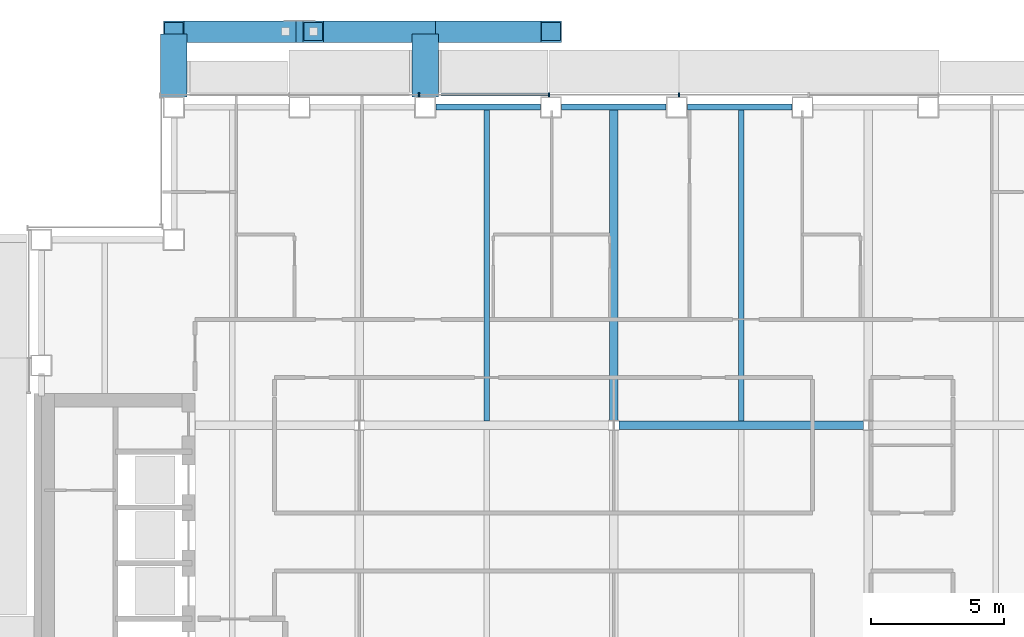
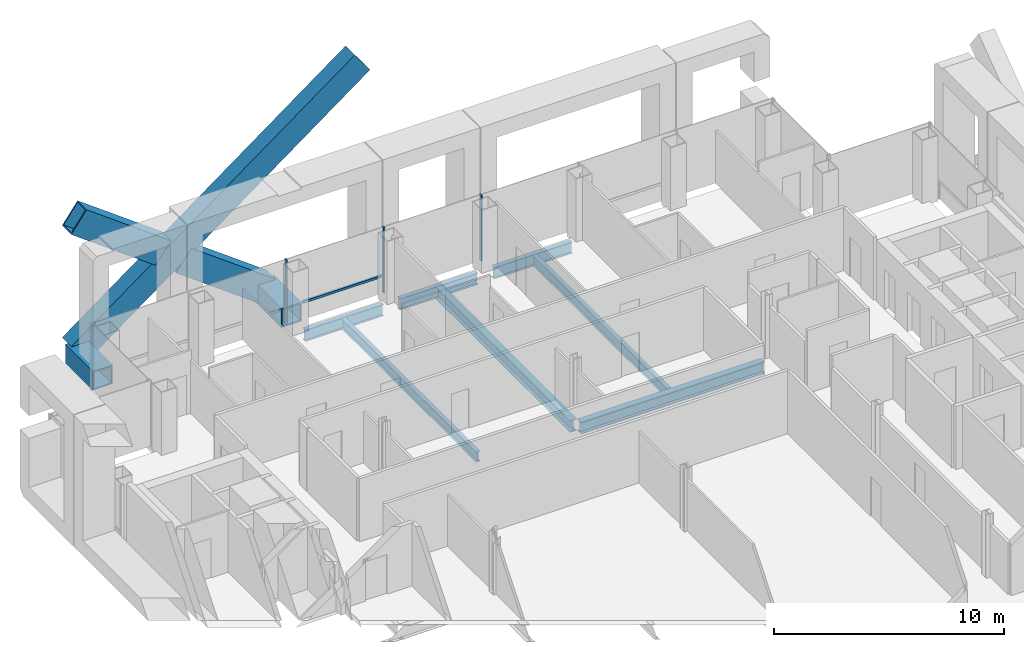
# One storey, part 9 of 22: 9 beams, 7 members, 1 element without a shape of its own.
"""IFC4 building model written with IfcOpenShell, lengths in metres."""

from ifc_helpers import new_model, si_unit, direction, frame, origin, origin_2d, place, context, subcontext, project, spatial, rectangle, hollow_rectangle, i_section, extrude, material, material_profile, profile_set, type_object, element, aggregate, save


model = new_model("IFC4")

# Units and contexts
model_context = context("Model", 3, precision=1e-05, world=origin(), true_north=direction((0.0, 1.0)))
body_context = subcontext(model_context, "Body", "Model", "MODEL_VIEW")
ifc_project = project(units=[si_unit("LENGTHUNIT", "METRE"), si_unit("AREAUNIT", "SQUARE_METRE"), si_unit("VOLUMEUNIT", "CUBIC_METRE"), si_unit("PLANEANGLEUNIT", "RADIAN"), si_unit("MASSUNIT", "GRAM", prefix="KILO")], contexts=[model_context])

# Site, building, storey
site_placement = place(None, origin())
site = spatial("IfcSite", under=ifc_project, at=site_placement, CompositionType="ELEMENT")
building_placement = place(site_placement, origin())
building = spatial("IfcBuilding", under=site, at=building_placement, Name="Cobrizo Arcos Hotel Tower", CompositionType="ELEMENT")
storey_placement = place(building_placement, frame((0.0, 0.0, 176.0)))
storey = spatial("IfcBuildingStorey", under=building, at=storey_placement, Name="L45", CompositionType="ELEMENT", Elevation=176.0)

# Beams
ifc_material_1 = material(Name="Steel ASTM A572 Grade 50", Category="steel")
ifc_material_profile_1 = material_profile(ifc_material_1, hollow_rectangle(XDim=1.0, YDim=1.0, WallThickness=0.06005859375, at=origin_2d()), Name="BOX 1000X1000X60")
ifc_profile_set_1 = profile_set([ifc_material_profile_1], Name="Steel ASTM A572 Grade 50")
beam_type_1 = type_object("IfcBeamType", Name="BOX 1000X1000X60 brace connector strut", PredefinedType="BEAM", material=ifc_profile_set_1)
for number, where, z_axis, x_axis, name in (
    (1, (-7.1142578125, 21.989990234375, 0.5), (0.0, 1.0, 0.0), (-1.0, 0.0, 0.0), "Perimeter brace stub BS1, zone Z3, north face, offset -7.11 m, L45"),
    (2, (-16.60009765625, 21.989990234375, 0.5), (0.0, 1.0, 0.0), (-1.0, 0.0, 0.0), "Perimeter brace stub BS1, zone Z3, north face, offset -16.60 m, L45"),
):
    element("IfcBeam", number, at=place(storey_placement, frame(where, z_axis=z_axis, x_axis=x_axis)), inside=storey, type_object=beam_type_1, Name=name, PredefinedType="BEAM", context=body_context, shape_type="SweptSolid", body=[
        extrude(hollow_rectangle(XDim=1.0, YDim=1.0, WallThickness=0.06005859375, at=origin_2d()), origin(), (0.0, 0.0, 1.0), 2.380126953125),
    ])

# Members
ifc_material_profile_2 = material_profile(ifc_material_1, hollow_rectangle(XDim=0.800048828125, YDim=1.300048828125, WallThickness=0.06005859375, at=origin_2d()), Name="BOX 800X1300X60")
ifc_profile_set_2 = profile_set([ifc_material_profile_2], Name="Steel ASTM A572 Grade 50")
member_type_1 = type_object("IfcMemberType", Name="BOX 800X1300X60 perimeter brace", PredefinedType="BRACE", material=ifc_profile_set_2)
member_1_placement = place(storey_placement, frame((-16.60009765625, 24.449951171875, 0.5), z_axis=(0.804632973186, 0.0, 0.593772497225), x_axis=(0.0, 1.0, 0.0)))
element("IfcMember", 3, at=member_1_placement, inside=storey, type_object=member_type_1, Name="Perimeter brace PBR3, zone Z3, north face, no. 17", PredefinedType="BRACE", context=body_context, shape_type="SweptSolid", body=[
    extrude(hollow_rectangle(XDim=0.800048828125, YDim=1.300048828125, WallThickness=0.06005859375, at=origin_2d()), origin(), (0.0, 0.0, 1.0), 17.68359375),
])
for number, where, z_axis, x_axis, name in (
    (4, (-7.1142578125, 24.449951171875, 0.5), (-0.804623858684, 0.0, 0.593784848271), (0.0, -1.0, 0.0), "Perimeter brace PBR3, zone Z3, north face, no. 16"),
    (5, (-12.38037109375, 24.449951171875, 4.385986328125), (-0.804623858684, 0.0, 0.593784848271), (0.0, -1.0, 0.0), "Perimeter brace PBR3, zone Z3, north face, no. 16b"),
):
    element("IfcMember", number, at=place(storey_placement, frame(where, z_axis=z_axis, x_axis=x_axis)), inside=storey, type_object=member_type_1, Name=name, PredefinedType="BRACE", context=body_context, shape_type="SweptSolid", body=[
        extrude(hollow_rectangle(XDim=0.800048828125, YDim=1.300048828125, WallThickness=0.06005859375, at=origin_2d()), origin(), (0.0, 0.0, 1.0), 5.244384765625),
    ])

# Curtain wall, members
ifc_material_2 = material(Name="Aluminium 6063-T6 anodised bronze", Category="aluminium")
curtain_wall_type = type_object("IfcCurtainWallType", Name="CW-A guest facade", PredefinedType="NOTDEFINED", material=ifc_material_2)
curtain_wall_placement = place(storey_placement, origin())
curtain_wall = element("IfcCurtainWall", 6, at=curtain_wall_placement, inside=storey, type_object=curtain_wall_type, Name="CW-A L45 N face", PredefinedType="NOTDEFINED")
ifc_material_profile_3 = material_profile(ifc_material_2, rectangle(XDim=0.14990234375, YDim=0.06005859375, at=origin_2d()), Name="CW-A mullion 150x60")
ifc_profile_set_3 = profile_set([ifc_material_profile_3], Name="Aluminium 6063-T6 anodised bronze")
member_type_2 = type_object("IfcMemberType", Name="CW-A mullion 150x60", PredefinedType="MULLION", material=ifc_profile_set_3)
member_2_placement = place(storey_placement, frame((2.449951171875, 22.074951171875, 0.0), z_axis=(0.0, 0.0, 1.0), x_axis=(0.0, 1.0, 0.0)))
member_2 = element("IfcMember", 7, at=member_2_placement, type_object=member_type_2, Name="CW-A mullion 4", PredefinedType="MULLION", context=body_context, shape_type="SweptSolid", body=[
    extrude(rectangle(XDim=0.14990234375, YDim=0.06005859375, at=origin_2d()), origin(), (0.0, 0.0, 1.0), 3.5),
])
member_3_placement = place(storey_placement, frame((-2.449951171875, 22.074951171875, 0.0), z_axis=(0.0, 0.0, 1.0), x_axis=(0.0, 1.0, 0.0)))
member_3 = element("IfcMember", 8, at=member_3_placement, type_object=member_type_2, Name="CW-A mullion 5", PredefinedType="MULLION", context=body_context, shape_type="SweptSolid", body=[
    extrude(rectangle(XDim=0.14990234375, YDim=0.06005859375, at=origin_2d()), origin(), (0.0, 0.0, 1.0), 3.5),
])
member_4_placement = place(storey_placement, frame((-7.35009765625, 22.074951171875, 0.0), z_axis=(0.0, 0.0, 1.0), x_axis=(0.0, 1.0, 0.0)))
member_4 = element("IfcMember", 9, at=member_4_placement, type_object=member_type_2, Name="CW-A mullion 6", PredefinedType="MULLION", context=body_context, shape_type="SweptSolid", body=[
    extrude(rectangle(XDim=0.14990234375, YDim=0.06005859375, at=origin_2d()), origin(), (0.0, 0.0, 1.0), 3.5),
])
ifc_material_profile_4 = material_profile(ifc_material_2, rectangle(XDim=0.10009765625, YDim=0.1201171875, at=origin_2d()), Name="CW-A transom 120x100")
ifc_profile_set_4 = profile_set([ifc_material_profile_4], Name="Aluminium 6063-T6 anodised bronze")
member_type_3 = type_object("IfcMemberType", Name="CW-A transom 120x100", PredefinedType="USERDEFINED", material=ifc_profile_set_4)
member_5_placement = place(storey_placement, frame((-2.47998046875, 22.074951171875, 0.929931640625), z_axis=(-1.0, 0.0, 0.0), x_axis=(0.0, -1.0, 0.0)))
member_5 = element("IfcMember", 10, at=member_5_placement, type_object=member_type_3, Name="CW-A transom 1595", ObjectType="TRANSOM", PredefinedType="USERDEFINED", context=body_context, shape_type="SweptSolid", body=[
    extrude(rectangle(XDim=0.10009765625, YDim=0.1201171875, at=origin_2d()), origin(), (0.0, 0.0, 1.0), 4.034423828125),
])
aggregate(curtain_wall, [member_2, member_3, member_4, member_5])

# Beams
ifc_material_3 = material(Name="Steel ASTM A992 Grade 50", Category="steel")
ifc_material_profile_5 = material_profile(ifc_material_3, i_section(OverallWidth=0.209228515625, OverallDepth=0.533447265625, WebThickness=0.01025390625, FlangeThickness=0.015625, at=origin_2d()), Name="W21X62")
ifc_profile_set_5 = profile_set([ifc_material_profile_5], Name="Steel ASTM A992 Grade 50")
beam_type_2 = type_object("IfcBeamType", Name="W21X62 joist", PredefinedType="JOIST", material=ifc_profile_set_5)
for number, where, z_axis, x_axis, name in (
    (11, (-4.800048828125, 9.763916015625, -0.416748046875), (0.0, 1.0, 0.0), (-1.0, 0.0, 0.0), "Floor joist J1, L45, no. 010"),
    (12, (4.800048828125, 9.763916015625, -0.416748046875), (0.0, 1.0, 0.0), (-1.0, 0.0, 0.0), "Floor joist J1, L45, no. 014"),
):
    element("IfcBeam", number, at=place(storey_placement, frame(where, z_axis=z_axis, x_axis=x_axis)), inside=storey, type_object=beam_type_2, Name=name, PredefinedType="JOIST", context=body_context, shape_type="SweptSolid", body=[
        extrude(i_section(OverallWidth=0.209228515625, OverallDepth=0.533447265625, WebThickness=0.01025390625, FlangeThickness=0.015625, at=origin_2d()), origin(), (0.0, 0.0, 1.0), 11.74609375),
    ])
ifc_material_profile_6 = material_profile(ifc_material_3, i_section(OverallWidth=0.32763671875, OverallDepth=0.622314453125, WebThickness=0.015380859375, FlangeThickness=0.0244140625, at=origin_2d()), Name="W24X131")
ifc_profile_set_6 = profile_set([ifc_material_profile_6], Name="Steel ASTM A992 Grade 50")
beam_type_3 = type_object("IfcBeamType", Name="W24X131 girder", PredefinedType="BEAM", material=ifc_profile_set_6)
beam_1_placement = place(storey_placement, frame((0.186767578125, 9.60009765625, -0.461181640625), z_axis=(1.0, 0.0, 0.0), x_axis=(0.0, 1.0, 0.0)))
element("IfcBeam", 13, at=beam_1_placement, inside=storey, type_object=beam_type_3, Name="Floor girder G1, L45, no. 011", PredefinedType="BEAM", context=body_context, shape_type="SweptSolid", body=[
    extrude(i_section(OverallWidth=0.32763671875, OverallDepth=0.622314453125, WebThickness=0.015380859375, FlangeThickness=0.0244140625, at=origin_2d()), origin(), (0.0, 0.0, 1.0), 9.2265625),
])
beam_2_placement = place(storey_placement, frame((0.0, 9.78662109375, -0.461181640625), z_axis=(0.0, 1.0, 0.0), x_axis=(-1.0, 0.0, 0.0)))
element("IfcBeam", 14, at=beam_2_placement, inside=storey, type_object=beam_type_3, Name="Floor girder G1, L45, no. 020", PredefinedType="BEAM", context=body_context, shape_type="SweptSolid", body=[
    extrude(i_section(OverallWidth=0.32763671875, OverallDepth=0.622314453125, WebThickness=0.015380859375, FlangeThickness=0.0244140625, at=origin_2d()), origin(), (0.0, 0.0, 1.0), 11.723388671875),
])
ifc_material_profile_7 = material_profile(ifc_material_3, i_section(OverallWidth=0.228271484375, OverallDepth=0.607177734375, WebThickness=0.01123046875, FlangeThickness=0.017333984375, at=origin_2d()), Name="W24X76")
ifc_profile_set_7 = profile_set([ifc_material_profile_7], Name="Steel ASTM A992 Grade 50")
beam_type_4 = type_object("IfcBeamType", Name="W24X76 spandrel", PredefinedType="SPANDREL", material=ifc_profile_set_7)
beam_3_placement = place(storey_placement, frame((6.714111328125, 21.60009765625, -0.45361328125), z_axis=(-1.0, 0.0, 0.0), x_axis=(0.0, -1.0, 0.0)))
element("IfcBeam", 15, at=beam_3_placement, inside=storey, type_object=beam_type_4, Name="Spandrel beam W24X76, L45, no. 018", PredefinedType="SPANDREL", context=body_context, shape_type="SweptSolid", body=[
    extrude(i_section(OverallWidth=0.228271484375, OverallDepth=0.607177734375, WebThickness=0.01123046875, FlangeThickness=0.017333984375, at=origin_2d()), origin(), (0.0, 0.0, 1.0), 3.943115234375),
])
beam_4_placement = place(storey_placement, frame((1.970947265625, 21.60009765625, -0.45361328125), z_axis=(-1.0, 0.0, 0.0), x_axis=(0.0, -1.0, 0.0)))
element("IfcBeam", 16, at=beam_4_placement, inside=storey, type_object=beam_type_4, Name="Spandrel beam W24X76, L45, no. 019", PredefinedType="SPANDREL", context=body_context, shape_type="SweptSolid", body=[
    extrude(i_section(OverallWidth=0.228271484375, OverallDepth=0.607177734375, WebThickness=0.01123046875, FlangeThickness=0.017333984375, at=origin_2d()), origin(), (0.0, 0.0, 1.0), 3.94189453125),
])
beam_5_placement = place(storey_placement, frame((-2.77099609375, 21.60009765625, -0.45361328125), z_axis=(-1.0, 0.0, 0.0), x_axis=(0.0, -1.0, 0.0)))
element("IfcBeam", 17, at=beam_5_placement, inside=storey, type_object=beam_type_4, Name="Spandrel beam W24X76, L45, no. 020", PredefinedType="SPANDREL", context=body_context, shape_type="SweptSolid", body=[
    extrude(i_section(OverallWidth=0.228271484375, OverallDepth=0.607177734375, WebThickness=0.01123046875, FlangeThickness=0.017333984375, at=origin_2d()), origin(), (0.0, 0.0, 1.0), 3.943115234375),
])

save(model, "model.ifc")
